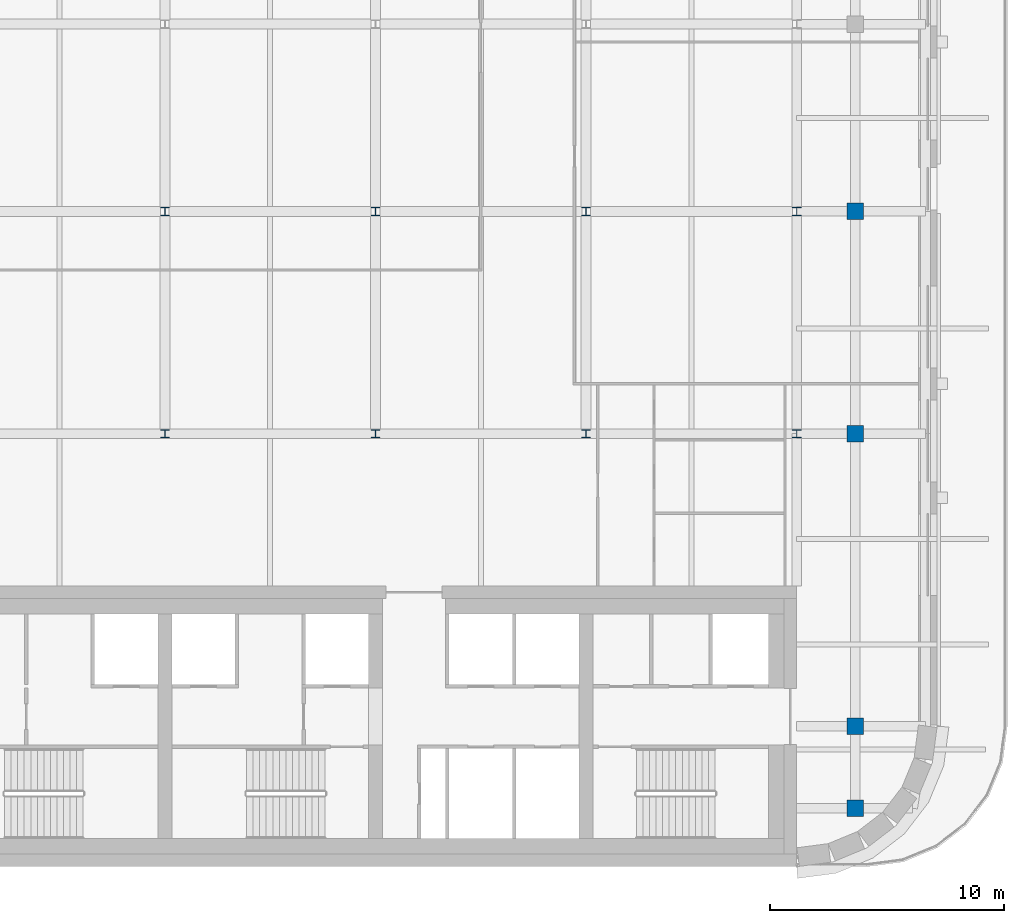
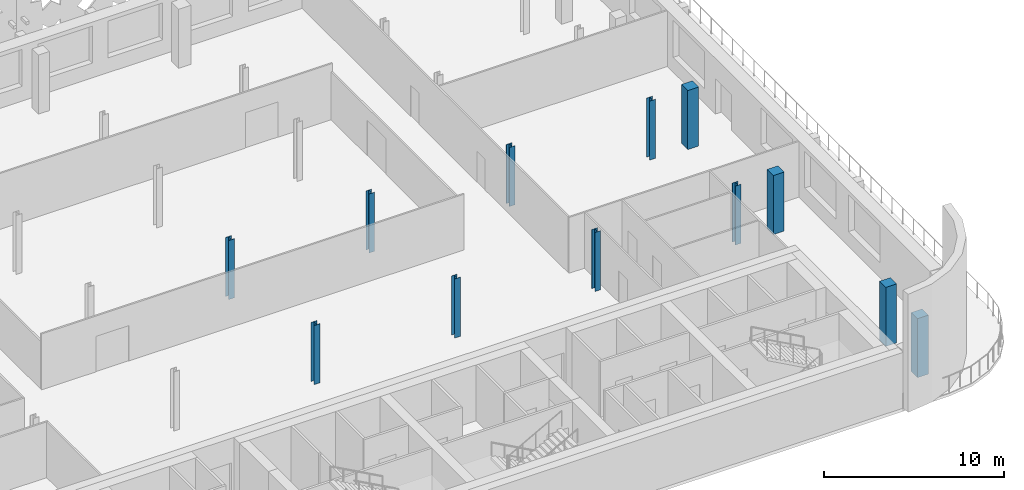
# One storey, part 2 of 15: 12 columns.
"""IFC4 building model written with IfcOpenShell, lengths in metres."""

from ifc_helpers import new_model, si_unit, direction, frame, origin, origin_2d, place, context, subcontext, project, spatial, rectangle, i_section, extrude, material, material_profile, profile_set, type_object, element, save


model = new_model("IFC4")

# Units and contexts
model_context = context("Model", 3, precision=1e-05, world=origin(), true_north=direction((0.0, 1.0)))
body_context = subcontext(model_context, "Body", "Model", "MODEL_VIEW")
ifc_project = project(units=[si_unit("LENGTHUNIT", "METRE"), si_unit("AREAUNIT", "SQUARE_METRE"), si_unit("VOLUMEUNIT", "CUBIC_METRE"), si_unit("PLANEANGLEUNIT", "RADIAN"), si_unit("MASSUNIT", "GRAM", prefix="KILO")], contexts=[model_context])

# Site, building, storey
site_placement = place(None, origin())
site = spatial("IfcSite", under=ifc_project, at=site_placement, CompositionType="ELEMENT")
building_placement = place(site_placement, origin())
building = spatial("IfcBuilding", under=site, at=building_placement, Name="Zellij Exchange Tower", CompositionType="ELEMENT")
storey_placement = place(building_placement, frame((0.0, 0.0, 284.5)))
storey = spatial("IfcBuildingStorey", under=building, at=storey_placement, Name="L67", CompositionType="ELEMENT", Elevation=284.5)

# Columns
ifc_material_1 = material(Name="Concrete C50/60", Category="concrete")
ifc_material_profile_1 = material_profile(ifc_material_1, rectangle(XDim=0.699951171875, YDim=0.699951171875, at=origin_2d()), Name="STR-COLUMN RC700x700 C50/60")
ifc_profile_set_1 = profile_set([ifc_material_profile_1], Name="Concrete C50/60")
column_type_1 = type_object("IfcColumnType", Name="STR-COLUMN RC700x700 C50/60", PredefinedType="COLUMN", material=ifc_profile_set_1)
for number, where, z_axis, x_axis, name in (
    (1, (29.5, -11.5, 0.0), (0.0, 0.0, 1.0), (1.0, 0.0, 0.0), "C14"),
    (2, (29.5, -8.0, 0.0), (0.0, 0.0, 1.0), (1.0, 0.0, 0.0), "C14"),
    (3, (29.5, 4.5, 0.0), (0.0, 0.0, 1.0), (1.0, 0.0, 0.0), "C14"),
    (4, (29.5, 14.0, 0.0), (0.0, 0.0, 1.0), (1.0, 0.0, 0.0), "C14"),
):
    element("IfcColumn", number, at=place(storey_placement, frame(where, z_axis=z_axis, x_axis=x_axis)), inside=storey, type_object=column_type_1, Name=name, PredefinedType="COLUMN", context=body_context, shape_type="SweptSolid", body=[
        extrude(rectangle(XDim=0.699951171875, YDim=0.699951171875, at=origin_2d()), origin(), (0.0, 0.0, 1.0), 4.0),
    ])
ifc_material_2 = material(Name="Structural steel ASTM A992 Gr 50", Category="steel")
ifc_material_profile_2 = material_profile(ifc_material_2, i_section(OverallWidth=0.368408203125, OverallDepth=0.355712890625, WebThickness=0.01123046875, FlangeThickness=0.01806640625, at=origin_2d()), Name="W14x90")
ifc_profile_set_2 = profile_set([ifc_material_profile_2], Name="Structural steel ASTM A992 Gr 50")
column_type_2 = type_object("IfcColumnType", Name="STR-COLUMN W14x90", PredefinedType="COLUMN", material=ifc_profile_set_2)
for number, where, z_axis, x_axis, name in (
    (5, (0.0, 4.5, 0.0), (0.0, 0.0, 1.0), (1.0, 0.0, 0.0), "C8"),
    (6, (9.0, 4.5, 0.0), (0.0, 0.0, 1.0), (1.0, 0.0, 0.0), "C8"),
    (7, (18.0, 4.5, 0.0), (0.0, 0.0, 1.0), (1.0, 0.0, 0.0), "C8"),
    (8, (27.0, 4.5, 0.0), (0.0, 0.0, 1.0), (1.0, 0.0, 0.0), "C8"),
    (9, (0.0, 14.0, 0.0), (0.0, 0.0, 1.0), (1.0, 0.0, 0.0), "C8"),
    (10, (9.0, 14.0, 0.0), (0.0, 0.0, 1.0), (1.0, 0.0, 0.0), "C8"),
    (11, (18.0, 14.0, 0.0), (0.0, 0.0, 1.0), (1.0, 0.0, 0.0), "C8"),
    (12, (27.0, 14.0, 0.0), (0.0, 0.0, 1.0), (1.0, 0.0, 0.0), "C8"),
):
    element("IfcColumn", number, at=place(storey_placement, frame(where, z_axis=z_axis, x_axis=x_axis)), inside=storey, type_object=column_type_2, Name=name, PredefinedType="COLUMN", context=body_context, shape_type="SweptSolid", body=[
        extrude(i_section(OverallWidth=0.368408203125, OverallDepth=0.355712890625, WebThickness=0.01123046875, FlangeThickness=0.01806640625, at=origin_2d()), origin(), (0.0, 0.0, 1.0), 4.0),
    ])

save(model, "model.ifc")
